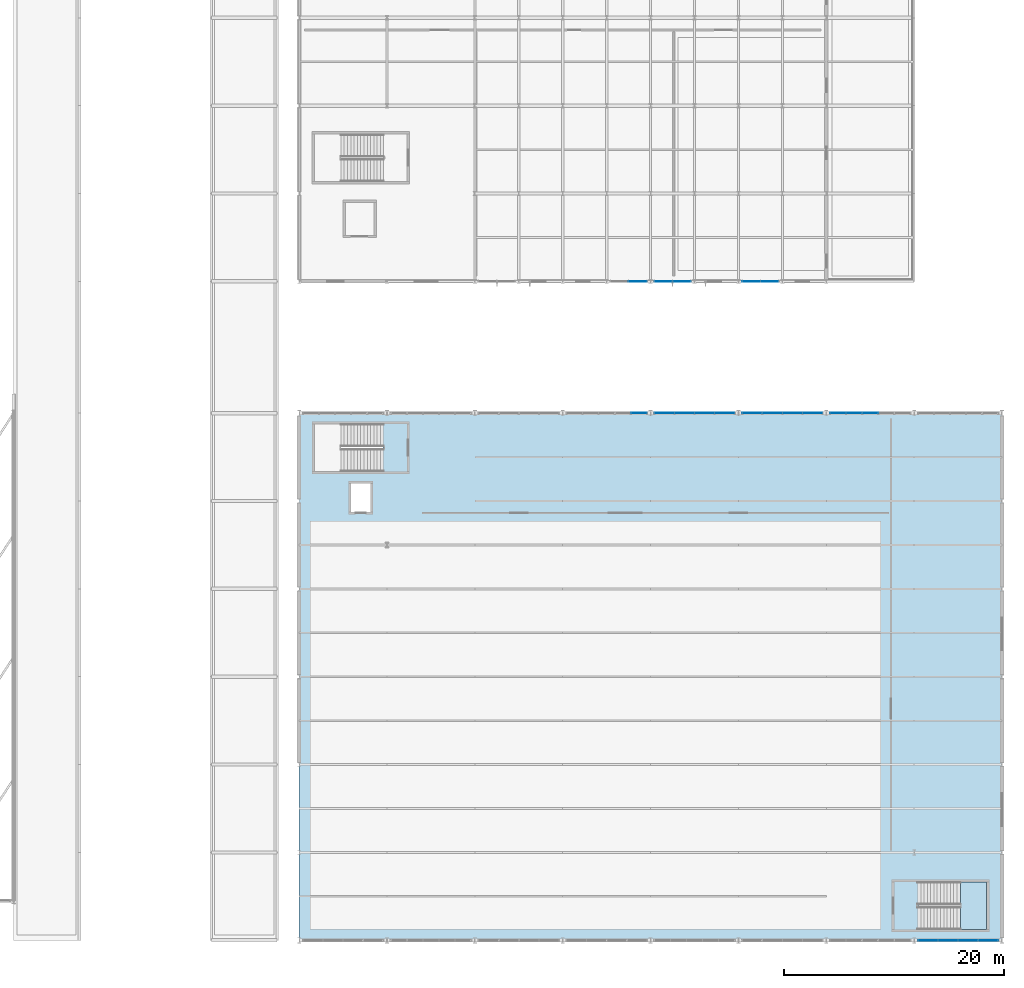
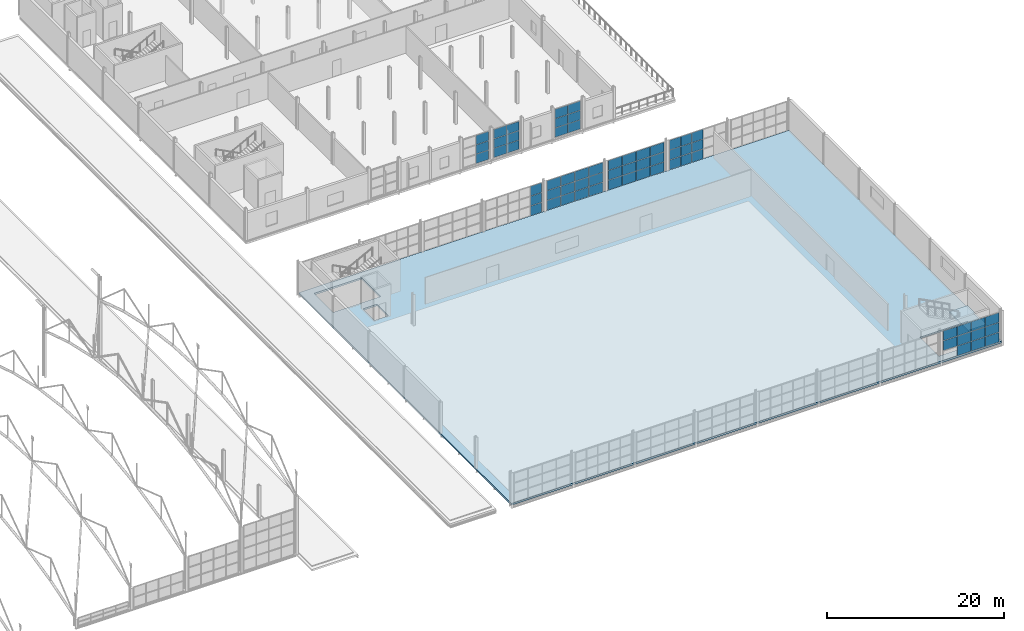
# One storey, part 129 of 153: 62 plates, 2 slabs, 9 elements without a shape of their own.
"""IFC4 building model written with IfcOpenShell, lengths in metres."""

from ifc_helpers import new_model, si_unit, derived_unit, direction, frame, origin, origin_2d, place, context, subcontext, project, spatial, polyline, rectangle, outline, extrude, material, layer, layer_set, type_object, element, aggregate, save


model = new_model("IFC4")

# Units and contexts
model_context = context("Model", 3, precision=1e-05, world=origin(), true_north=direction((0.0, 1.0)))
body_context = subcontext(model_context, "Body", "Model", "MODEL_VIEW")
ifc_project = project(units=[si_unit("LENGTHUNIT", "METRE"), si_unit("AREAUNIT", "SQUARE_METRE"), si_unit("VOLUMEUNIT", "CUBIC_METRE"), si_unit("PLANEANGLEUNIT", "RADIAN"), si_unit("MASSUNIT", "GRAM", prefix="KILO"), derived_unit("THERMALTRANSMITTANCEUNIT", [(si_unit("POWERUNIT", "WATT"), 1), (si_unit("LENGTHUNIT", "METRE"), -2), (si_unit("THERMODYNAMICTEMPERATUREUNIT", "KELVIN"), -1)])], contexts=[model_context])

# Site, building, storey
site_placement = place(None, origin())
site = spatial("IfcSite", under=ifc_project, at=site_placement, CompositionType="ELEMENT")
building_placement = place(site_placement, origin())
building = spatial("IfcBuilding", under=site, at=building_placement, Name="Keldorne Ridge Multi-Sports Centre", CompositionType="ELEMENT")
storey_placement = place(building_placement, frame((0.0, 0.0, 9.60009765625)))
storey = spatial("IfcBuildingStorey", under=building, at=storey_placement, Name="L02", CompositionType="ELEMENT", Elevation=9.60009765625)

# Curtain wall, plates
ifc_material_1 = material(Name="Anodized aluminium", Category="aluminium")
curtain_wall_type_1 = type_object("IfcCurtainWallType", Name="CW-CW-07", PredefinedType="NOTDEFINED", material=ifc_material_1)
curtain_wall_1_placement = place(storey_placement, origin())
curtain_wall_1 = element("IfcCurtainWall", 1, at=curtain_wall_1_placement, inside=storey, type_object=curtain_wall_type_1, Name="Upper Courts north glazing 111", PredefinedType="NOTDEFINED")
ifc_material_2 = material(Name="Double low-e insulated glazing", Category="glass")
ifc_layer_1 = layer(ifc_material_2, 0.035888671875)
ifc_layer_set_1 = layer_set([ifc_layer_1])
plate_type = type_object("IfcPlateType", Name="PLT-GL-01", PredefinedType="CURTAIN_PANEL", material=ifc_layer_set_1)
plate_1_placement = place(storey_placement, frame((134.927978515625, 54.0, 0.019775390625), z_axis=(0.0, 0.0, 1.0), x_axis=(-1.0, 0.0, 0.0)))
plate_1 = element("IfcPlate", 2, at=plate_1_placement, type_object=plate_type, Name="CW-111 glazed panel 1.1", PredefinedType="CURTAIN_PANEL", context=body_context, shape_type="SweptSolid", body=[
    extrude(rectangle(XDim=1.424072265625, YDim=0.035888671875, at=origin_2d()), origin(), (0.0, 0.0, 1.0), 1.32666015625),
])
plate_2_placement = place(storey_placement, frame((134.927978515625, 54.0, 1.386474609375), z_axis=(0.0, 0.0, 1.0), x_axis=(-1.0, 0.0, 0.0)))
plate_2 = element("IfcPlate", 3, at=plate_2_placement, type_object=plate_type, Name="CW-111 glazed panel 1.2", PredefinedType="CURTAIN_PANEL", context=body_context, shape_type="SweptSolid", body=[
    extrude(rectangle(XDim=1.424072265625, YDim=0.035888671875, at=origin_2d()), origin(), (0.0, 0.0, 1.0), 1.32666015625),
])
plate_3_placement = place(storey_placement, frame((134.927978515625, 54.0, 2.753173828125), z_axis=(0.0, 0.0, 1.0), x_axis=(-1.0, 0.0, 0.0)))
plate_3 = element("IfcPlate", 4, at=plate_3_placement, type_object=plate_type, Name="CW-111 glazed panel 1.3", PredefinedType="CURTAIN_PANEL", context=body_context, shape_type="SweptSolid", body=[
    extrude(rectangle(XDim=1.424072265625, YDim=0.035888671875, at=origin_2d()), origin(), (0.0, 0.0, 1.0), 1.32666015625),
])
aggregate(curtain_wall_1, [plate_1, plate_2, plate_3])

curtain_wall_type_2 = type_object("IfcCurtainWallType", Name="CW-CW-05", PredefinedType="NOTDEFINED", material=ifc_material_1)
curtain_wall_2_placement = place(storey_placement, origin())
curtain_wall_2 = element("IfcCurtainWall", 5, at=curtain_wall_2_placement, inside=storey, type_object=curtain_wall_type_2, Name="Upper Courts north glazing 117", PredefinedType="NOTDEFINED")
plate_4_placement = place(storey_placement, frame((142.7451171875, 54.0, 0.019775390625), z_axis=(0.0, 0.0, 1.0), x_axis=(-1.0, 0.0, 0.0)))
plate_4 = element("IfcPlate", 6, at=plate_4_placement, type_object=plate_type, Name="CW-117 glazed panel 1.1", PredefinedType="CURTAIN_PANEL", context=body_context, shape_type="SweptSolid", body=[
    extrude(rectangle(XDim=1.7900390625, YDim=0.035888671875, at=origin_2d()), origin(), (0.0, 0.0, 1.0), 1.32666015625),
])
plate_5_placement = place(storey_placement, frame((142.7451171875, 54.0, 1.386474609375), z_axis=(0.0, 0.0, 1.0), x_axis=(-1.0, 0.0, 0.0)))
plate_5 = element("IfcPlate", 7, at=plate_5_placement, type_object=plate_type, Name="CW-117 glazed panel 1.2", PredefinedType="CURTAIN_PANEL", context=body_context, shape_type="SweptSolid", body=[
    extrude(rectangle(XDim=1.7900390625, YDim=0.035888671875, at=origin_2d()), origin(), (0.0, 0.0, 1.0), 1.32666015625),
])
plate_6_placement = place(storey_placement, frame((142.7451171875, 54.0, 2.753173828125), z_axis=(0.0, 0.0, 1.0), x_axis=(-1.0, 0.0, 0.0)))
plate_6 = element("IfcPlate", 8, at=plate_6_placement, type_object=plate_type, Name="CW-117 glazed panel 1.3", PredefinedType="CURTAIN_PANEL", context=body_context, shape_type="SweptSolid", body=[
    extrude(rectangle(XDim=1.7900390625, YDim=0.035888671875, at=origin_2d()), origin(), (0.0, 0.0, 1.0), 1.32666015625),
])
plate_7_placement = place(storey_placement, frame((140.9150390625, 54.0, 0.019775390625), z_axis=(0.0, 0.0, 1.0), x_axis=(-1.0, 0.0, 0.0)))
plate_7 = element("IfcPlate", 9, at=plate_7_placement, type_object=plate_type, Name="CW-117 glazed panel 2.1", PredefinedType="CURTAIN_PANEL", context=body_context, shape_type="SweptSolid", body=[
    extrude(rectangle(XDim=1.7900390625, YDim=0.035888671875, at=origin_2d()), origin(), (0.0, 0.0, 1.0), 1.32666015625),
])
plate_8_placement = place(storey_placement, frame((140.9150390625, 54.0, 1.386474609375), z_axis=(0.0, 0.0, 1.0), x_axis=(-1.0, 0.0, 0.0)))
plate_8 = element("IfcPlate", 10, at=plate_8_placement, type_object=plate_type, Name="CW-117 glazed panel 2.2", PredefinedType="CURTAIN_PANEL", context=body_context, shape_type="SweptSolid", body=[
    extrude(rectangle(XDim=1.7900390625, YDim=0.035888671875, at=origin_2d()), origin(), (0.0, 0.0, 1.0), 1.32666015625),
])
plate_9_placement = place(storey_placement, frame((140.9150390625, 54.0, 2.753173828125), z_axis=(0.0, 0.0, 1.0), x_axis=(-1.0, 0.0, 0.0)))
plate_9 = element("IfcPlate", 11, at=plate_9_placement, type_object=plate_type, Name="CW-117 glazed panel 2.3", PredefinedType="CURTAIN_PANEL", context=body_context, shape_type="SweptSolid", body=[
    extrude(rectangle(XDim=1.7900390625, YDim=0.035888671875, at=origin_2d()), origin(), (0.0, 0.0, 1.0), 1.32666015625),
])
plate_10_placement = place(storey_placement, frame((139.0849609375, 54.0, 0.019775390625), z_axis=(0.0, 0.0, 1.0), x_axis=(-1.0, 0.0, 0.0)))
plate_10 = element("IfcPlate", 12, at=plate_10_placement, type_object=plate_type, Name="CW-117 glazed panel 3.1", PredefinedType="CURTAIN_PANEL", context=body_context, shape_type="SweptSolid", body=[
    extrude(rectangle(XDim=1.7900390625, YDim=0.035888671875, at=origin_2d()), origin(), (0.0, 0.0, 1.0), 1.32666015625),
])
plate_11_placement = place(storey_placement, frame((139.0849609375, 54.0, 1.386474609375), z_axis=(0.0, 0.0, 1.0), x_axis=(-1.0, 0.0, 0.0)))
plate_11 = element("IfcPlate", 13, at=plate_11_placement, type_object=plate_type, Name="CW-117 glazed panel 3.2", PredefinedType="CURTAIN_PANEL", context=body_context, shape_type="SweptSolid", body=[
    extrude(rectangle(XDim=1.7900390625, YDim=0.035888671875, at=origin_2d()), origin(), (0.0, 0.0, 1.0), 1.32666015625),
])
plate_12_placement = place(storey_placement, frame((139.0849609375, 54.0, 2.753173828125), z_axis=(0.0, 0.0, 1.0), x_axis=(-1.0, 0.0, 0.0)))
plate_12 = element("IfcPlate", 14, at=plate_12_placement, type_object=plate_type, Name="CW-117 glazed panel 3.3", PredefinedType="CURTAIN_PANEL", context=body_context, shape_type="SweptSolid", body=[
    extrude(rectangle(XDim=1.7900390625, YDim=0.035888671875, at=origin_2d()), origin(), (0.0, 0.0, 1.0), 1.32666015625),
])
plate_13_placement = place(storey_placement, frame((137.2548828125, 54.0, 0.019775390625), z_axis=(0.0, 0.0, 1.0), x_axis=(-1.0, 0.0, 0.0)))
plate_13 = element("IfcPlate", 15, at=plate_13_placement, type_object=plate_type, Name="CW-117 glazed panel 4.1", PredefinedType="CURTAIN_PANEL", context=body_context, shape_type="SweptSolid", body=[
    extrude(rectangle(XDim=1.7900390625, YDim=0.035888671875, at=origin_2d()), origin(), (0.0, 0.0, 1.0), 1.32666015625),
])
plate_14_placement = place(storey_placement, frame((137.2548828125, 54.0, 1.386474609375), z_axis=(0.0, 0.0, 1.0), x_axis=(-1.0, 0.0, 0.0)))
plate_14 = element("IfcPlate", 16, at=plate_14_placement, type_object=plate_type, Name="CW-117 glazed panel 4.2", PredefinedType="CURTAIN_PANEL", context=body_context, shape_type="SweptSolid", body=[
    extrude(rectangle(XDim=1.7900390625, YDim=0.035888671875, at=origin_2d()), origin(), (0.0, 0.0, 1.0), 1.32666015625),
])
plate_15_placement = place(storey_placement, frame((137.2548828125, 54.0, 2.753173828125), z_axis=(0.0, 0.0, 1.0), x_axis=(-1.0, 0.0, 0.0)))
plate_15 = element("IfcPlate", 17, at=plate_15_placement, type_object=plate_type, Name="CW-117 glazed panel 4.3", PredefinedType="CURTAIN_PANEL", context=body_context, shape_type="SweptSolid", body=[
    extrude(rectangle(XDim=1.7900390625, YDim=0.035888671875, at=origin_2d()), origin(), (0.0, 0.0, 1.0), 1.32666015625),
])
aggregate(curtain_wall_2, [plate_4, plate_5, plate_6, plate_7, plate_8, plate_9, plate_10, plate_11, plate_12, plate_13, plate_14, plate_15])

curtain_wall_type_3 = type_object("IfcCurtainWallType", Name="CW-CW-03", PredefinedType="NOTDEFINED", material=ifc_material_1)
curtain_wall_3_placement = place(storey_placement, origin())
curtain_wall_3 = element("IfcCurtainWall", 18, at=curtain_wall_3_placement, inside=storey, type_object=curtain_wall_type_3, Name="Upper Courts north glazing 123", PredefinedType="NOTDEFINED")
plate_16_placement = place(storey_placement, frame((150.7451171875, 54.0, 0.019775390625), z_axis=(0.0, 0.0, 1.0), x_axis=(-1.0, 0.0, 0.0)))
plate_16 = element("IfcPlate", 19, at=plate_16_placement, type_object=plate_type, Name="CW-123 glazed panel 1.1", PredefinedType="CURTAIN_PANEL", context=body_context, shape_type="SweptSolid", body=[
    extrude(rectangle(XDim=1.7900390625, YDim=0.035888671875, at=origin_2d()), origin(), (0.0, 0.0, 1.0), 1.32666015625),
])
plate_17_placement = place(storey_placement, frame((150.7451171875, 54.0, 1.386474609375), z_axis=(0.0, 0.0, 1.0), x_axis=(-1.0, 0.0, 0.0)))
plate_17 = element("IfcPlate", 20, at=plate_17_placement, type_object=plate_type, Name="CW-123 glazed panel 1.2", PredefinedType="CURTAIN_PANEL", context=body_context, shape_type="SweptSolid", body=[
    extrude(rectangle(XDim=1.7900390625, YDim=0.035888671875, at=origin_2d()), origin(), (0.0, 0.0, 1.0), 1.32666015625),
])
plate_18_placement = place(storey_placement, frame((150.7451171875, 54.0, 2.753173828125), z_axis=(0.0, 0.0, 1.0), x_axis=(-1.0, 0.0, 0.0)))
plate_18 = element("IfcPlate", 21, at=plate_18_placement, type_object=plate_type, Name="CW-123 glazed panel 1.3", PredefinedType="CURTAIN_PANEL", context=body_context, shape_type="SweptSolid", body=[
    extrude(rectangle(XDim=1.7900390625, YDim=0.035888671875, at=origin_2d()), origin(), (0.0, 0.0, 1.0), 1.32666015625),
])
plate_19_placement = place(storey_placement, frame((148.9150390625, 54.0, 0.019775390625), z_axis=(0.0, 0.0, 1.0), x_axis=(-1.0, 0.0, 0.0)))
plate_19 = element("IfcPlate", 22, at=plate_19_placement, type_object=plate_type, Name="CW-123 glazed panel 2.1", PredefinedType="CURTAIN_PANEL", context=body_context, shape_type="SweptSolid", body=[
    extrude(rectangle(XDim=1.7900390625, YDim=0.035888671875, at=origin_2d()), origin(), (0.0, 0.0, 1.0), 1.32666015625),
])
plate_20_placement = place(storey_placement, frame((148.9150390625, 54.0, 1.386474609375), z_axis=(0.0, 0.0, 1.0), x_axis=(-1.0, 0.0, 0.0)))
plate_20 = element("IfcPlate", 23, at=plate_20_placement, type_object=plate_type, Name="CW-123 glazed panel 2.2", PredefinedType="CURTAIN_PANEL", context=body_context, shape_type="SweptSolid", body=[
    extrude(rectangle(XDim=1.7900390625, YDim=0.035888671875, at=origin_2d()), origin(), (0.0, 0.0, 1.0), 1.32666015625),
])
plate_21_placement = place(storey_placement, frame((148.9150390625, 54.0, 2.753173828125), z_axis=(0.0, 0.0, 1.0), x_axis=(-1.0, 0.0, 0.0)))
plate_21 = element("IfcPlate", 24, at=plate_21_placement, type_object=plate_type, Name="CW-123 glazed panel 2.3", PredefinedType="CURTAIN_PANEL", context=body_context, shape_type="SweptSolid", body=[
    extrude(rectangle(XDim=1.7900390625, YDim=0.035888671875, at=origin_2d()), origin(), (0.0, 0.0, 1.0), 1.32666015625),
])
plate_22_placement = place(storey_placement, frame((147.0849609375, 54.0, 0.019775390625), z_axis=(0.0, 0.0, 1.0), x_axis=(-1.0, 0.0, 0.0)))
plate_22 = element("IfcPlate", 25, at=plate_22_placement, type_object=plate_type, Name="CW-123 glazed panel 3.1", PredefinedType="CURTAIN_PANEL", context=body_context, shape_type="SweptSolid", body=[
    extrude(rectangle(XDim=1.7900390625, YDim=0.035888671875, at=origin_2d()), origin(), (0.0, 0.0, 1.0), 1.32666015625),
])
plate_23_placement = place(storey_placement, frame((147.0849609375, 54.0, 1.386474609375), z_axis=(0.0, 0.0, 1.0), x_axis=(-1.0, 0.0, 0.0)))
plate_23 = element("IfcPlate", 26, at=plate_23_placement, type_object=plate_type, Name="CW-123 glazed panel 3.2", PredefinedType="CURTAIN_PANEL", context=body_context, shape_type="SweptSolid", body=[
    extrude(rectangle(XDim=1.7900390625, YDim=0.035888671875, at=origin_2d()), origin(), (0.0, 0.0, 1.0), 1.32666015625),
])
plate_24_placement = place(storey_placement, frame((147.0849609375, 54.0, 2.753173828125), z_axis=(0.0, 0.0, 1.0), x_axis=(-1.0, 0.0, 0.0)))
plate_24 = element("IfcPlate", 27, at=plate_24_placement, type_object=plate_type, Name="CW-123 glazed panel 3.3", PredefinedType="CURTAIN_PANEL", context=body_context, shape_type="SweptSolid", body=[
    extrude(rectangle(XDim=1.7900390625, YDim=0.035888671875, at=origin_2d()), origin(), (0.0, 0.0, 1.0), 1.32666015625),
])
plate_25_placement = place(storey_placement, frame((145.2548828125, 54.0, 0.019775390625), z_axis=(0.0, 0.0, 1.0), x_axis=(-1.0, 0.0, 0.0)))
plate_25 = element("IfcPlate", 28, at=plate_25_placement, type_object=plate_type, Name="CW-123 glazed panel 4.1", PredefinedType="CURTAIN_PANEL", context=body_context, shape_type="SweptSolid", body=[
    extrude(rectangle(XDim=1.7900390625, YDim=0.035888671875, at=origin_2d()), origin(), (0.0, 0.0, 1.0), 1.32666015625),
])
plate_26_placement = place(storey_placement, frame((145.2548828125, 54.0, 1.386474609375), z_axis=(0.0, 0.0, 1.0), x_axis=(-1.0, 0.0, 0.0)))
plate_26 = element("IfcPlate", 29, at=plate_26_placement, type_object=plate_type, Name="CW-123 glazed panel 4.2", PredefinedType="CURTAIN_PANEL", context=body_context, shape_type="SweptSolid", body=[
    extrude(rectangle(XDim=1.7900390625, YDim=0.035888671875, at=origin_2d()), origin(), (0.0, 0.0, 1.0), 1.32666015625),
])
plate_27_placement = place(storey_placement, frame((145.2548828125, 54.0, 2.753173828125), z_axis=(0.0, 0.0, 1.0), x_axis=(-1.0, 0.0, 0.0)))
plate_27 = element("IfcPlate", 30, at=plate_27_placement, type_object=plate_type, Name="CW-123 glazed panel 4.3", PredefinedType="CURTAIN_PANEL", context=body_context, shape_type="SweptSolid", body=[
    extrude(rectangle(XDim=1.7900390625, YDim=0.035888671875, at=origin_2d()), origin(), (0.0, 0.0, 1.0), 1.32666015625),
])
aggregate(curtain_wall_3, [plate_16, plate_17, plate_18, plate_19, plate_20, plate_21, plate_22, plate_23, plate_24, plate_25, plate_26, plate_27])

curtain_wall_type_4 = type_object("IfcCurtainWallType", Name="CW-CW-02", PredefinedType="NOTDEFINED", material=ifc_material_1)
curtain_wall_4_placement = place(storey_placement, origin())
curtain_wall_4 = element("IfcCurtainWall", 31, at=curtain_wall_4_placement, inside=storey, type_object=curtain_wall_type_4, Name="Upper Courts north glazing 130", PredefinedType="NOTDEFINED")
plate_28_placement = place(storey_placement, frame((156.0, 54.0, 0.019775390625), z_axis=(0.0, 0.0, 1.0), x_axis=(-1.0, 0.0, 0.0)))
plate_28 = element("IfcPlate", 32, at=plate_28_placement, type_object=plate_type, Name="CW-130 glazed panel 3.1", PredefinedType="CURTAIN_PANEL", context=body_context, shape_type="SweptSolid", body=[
    extrude(rectangle(XDim=1.424072265625, YDim=0.035888671875, at=origin_2d()), origin(), (0.0, 0.0, 1.0), 1.32666015625),
])
plate_29_placement = place(storey_placement, frame((156.0, 54.0, 1.386474609375), z_axis=(0.0, 0.0, 1.0), x_axis=(-1.0, 0.0, 0.0)))
plate_29 = element("IfcPlate", 33, at=plate_29_placement, type_object=plate_type, Name="CW-130 glazed panel 3.2", PredefinedType="CURTAIN_PANEL", context=body_context, shape_type="SweptSolid", body=[
    extrude(rectangle(XDim=1.424072265625, YDim=0.035888671875, at=origin_2d()), origin(), (0.0, 0.0, 1.0), 1.32666015625),
])
plate_30_placement = place(storey_placement, frame((156.0, 54.0, 2.753173828125), z_axis=(0.0, 0.0, 1.0), x_axis=(-1.0, 0.0, 0.0)))
plate_30 = element("IfcPlate", 34, at=plate_30_placement, type_object=plate_type, Name="CW-130 glazed panel 3.3", PredefinedType="CURTAIN_PANEL", context=body_context, shape_type="SweptSolid", body=[
    extrude(rectangle(XDim=1.424072265625, YDim=0.035888671875, at=origin_2d()), origin(), (0.0, 0.0, 1.0), 1.32666015625),
])
plate_31_placement = place(storey_placement, frame((154.535888671875, 54.0, 0.019775390625), z_axis=(0.0, 0.0, 1.0), x_axis=(-1.0, 0.0, 0.0)))
plate_31 = element("IfcPlate", 35, at=plate_31_placement, type_object=plate_type, Name="CW-130 glazed panel 4.1", PredefinedType="CURTAIN_PANEL", context=body_context, shape_type="SweptSolid", body=[
    extrude(rectangle(XDim=1.424072265625, YDim=0.035888671875, at=origin_2d()), origin(), (0.0, 0.0, 1.0), 1.32666015625),
])
plate_32_placement = place(storey_placement, frame((154.535888671875, 54.0, 1.386474609375), z_axis=(0.0, 0.0, 1.0), x_axis=(-1.0, 0.0, 0.0)))
plate_32 = element("IfcPlate", 36, at=plate_32_placement, type_object=plate_type, Name="CW-130 glazed panel 4.2", PredefinedType="CURTAIN_PANEL", context=body_context, shape_type="SweptSolid", body=[
    extrude(rectangle(XDim=1.424072265625, YDim=0.035888671875, at=origin_2d()), origin(), (0.0, 0.0, 1.0), 1.32666015625),
])
plate_33_placement = place(storey_placement, frame((154.535888671875, 54.0, 2.753173828125), z_axis=(0.0, 0.0, 1.0), x_axis=(-1.0, 0.0, 0.0)))
plate_33 = element("IfcPlate", 37, at=plate_33_placement, type_object=plate_type, Name="CW-130 glazed panel 4.3", PredefinedType="CURTAIN_PANEL", context=body_context, shape_type="SweptSolid", body=[
    extrude(rectangle(XDim=1.424072265625, YDim=0.035888671875, at=origin_2d()), origin(), (0.0, 0.0, 1.0), 1.32666015625),
])
plate_34_placement = place(storey_placement, frame((153.072021484375, 54.0, 0.019775390625), z_axis=(0.0, 0.0, 1.0), x_axis=(-1.0, 0.0, 0.0)))
plate_34 = element("IfcPlate", 38, at=plate_34_placement, type_object=plate_type, Name="CW-130 glazed panel 5.1", PredefinedType="CURTAIN_PANEL", context=body_context, shape_type="SweptSolid", body=[
    extrude(rectangle(XDim=1.424072265625, YDim=0.035888671875, at=origin_2d()), origin(), (0.0, 0.0, 1.0), 1.32666015625),
])
plate_35_placement = place(storey_placement, frame((153.072021484375, 54.0, 1.386474609375), z_axis=(0.0, 0.0, 1.0), x_axis=(-1.0, 0.0, 0.0)))
plate_35 = element("IfcPlate", 39, at=plate_35_placement, type_object=plate_type, Name="CW-130 glazed panel 5.2", PredefinedType="CURTAIN_PANEL", context=body_context, shape_type="SweptSolid", body=[
    extrude(rectangle(XDim=1.424072265625, YDim=0.035888671875, at=origin_2d()), origin(), (0.0, 0.0, 1.0), 1.32666015625),
])
plate_36_placement = place(storey_placement, frame((153.072021484375, 54.0, 2.753173828125), z_axis=(0.0, 0.0, 1.0), x_axis=(-1.0, 0.0, 0.0)))
plate_36 = element("IfcPlate", 40, at=plate_36_placement, type_object=plate_type, Name="CW-130 glazed panel 5.3", PredefinedType="CURTAIN_PANEL", context=body_context, shape_type="SweptSolid", body=[
    extrude(rectangle(XDim=1.424072265625, YDim=0.035888671875, at=origin_2d()), origin(), (0.0, 0.0, 1.0), 1.32666015625),
])
aggregate(curtain_wall_4, [plate_28, plate_29, plate_30, plate_31, plate_32, plate_33, plate_34, plate_35, plate_36])

curtain_wall_5_placement = place(storey_placement, origin())
curtain_wall_5 = element("IfcCurtainWall", 41, at=curtain_wall_5_placement, inside=storey, type_object=curtain_wall_type_2, Name="Upper Courts south curtain wall 133", PredefinedType="NOTDEFINED")
plate_37_placement = place(storey_placement, frame((161.2548828125, 6.0, 1.386474609375), z_axis=(0.0, 0.0, 1.0), x_axis=(1.0, 0.0, 0.0)))
plate_37 = element("IfcPlate", 42, at=plate_37_placement, type_object=plate_type, Name="CW-133 glazed panel 1.2", PredefinedType="CURTAIN_PANEL", context=body_context, shape_type="SweptSolid", body=[
    extrude(rectangle(XDim=1.7900390625, YDim=0.035888671875, at=origin_2d()), origin(), (0.0, 0.0, 1.0), 1.32666015625),
])
plate_38_placement = place(storey_placement, frame((161.2548828125, 6.0, 2.753173828125), z_axis=(0.0, 0.0, 1.0), x_axis=(1.0, 0.0, 0.0)))
plate_38 = element("IfcPlate", 43, at=plate_38_placement, type_object=plate_type, Name="CW-133 glazed panel 1.3", PredefinedType="CURTAIN_PANEL", context=body_context, shape_type="SweptSolid", body=[
    extrude(rectangle(XDim=1.7900390625, YDim=0.035888671875, at=origin_2d()), origin(), (0.0, 0.0, 1.0), 1.32666015625),
])
plate_39_placement = place(storey_placement, frame((163.0849609375, 6.0, 0.019775390625), z_axis=(0.0, 0.0, 1.0), x_axis=(1.0, 0.0, 0.0)))
plate_39 = element("IfcPlate", 44, at=plate_39_placement, type_object=plate_type, Name="CW-133 glazed panel 2.1", PredefinedType="CURTAIN_PANEL", context=body_context, shape_type="SweptSolid", body=[
    extrude(rectangle(XDim=1.7900390625, YDim=0.035888671875, at=origin_2d()), origin(), (0.0, 0.0, 1.0), 1.32666015625),
])
plate_40_placement = place(storey_placement, frame((163.0849609375, 6.0, 1.386474609375), z_axis=(0.0, 0.0, 1.0), x_axis=(1.0, 0.0, 0.0)))
plate_40 = element("IfcPlate", 45, at=plate_40_placement, type_object=plate_type, Name="CW-133 glazed panel 2.2", PredefinedType="CURTAIN_PANEL", context=body_context, shape_type="SweptSolid", body=[
    extrude(rectangle(XDim=1.7900390625, YDim=0.035888671875, at=origin_2d()), origin(), (0.0, 0.0, 1.0), 1.32666015625),
])
plate_41_placement = place(storey_placement, frame((163.0849609375, 6.0, 2.753173828125), z_axis=(0.0, 0.0, 1.0), x_axis=(1.0, 0.0, 0.0)))
plate_41 = element("IfcPlate", 46, at=plate_41_placement, type_object=plate_type, Name="CW-133 glazed panel 2.3", PredefinedType="CURTAIN_PANEL", context=body_context, shape_type="SweptSolid", body=[
    extrude(rectangle(XDim=1.7900390625, YDim=0.035888671875, at=origin_2d()), origin(), (0.0, 0.0, 1.0), 1.32666015625),
])
plate_42_placement = place(storey_placement, frame((164.9150390625, 6.0, 0.019775390625), z_axis=(0.0, 0.0, 1.0), x_axis=(1.0, 0.0, 0.0)))
plate_42 = element("IfcPlate", 47, at=plate_42_placement, type_object=plate_type, Name="CW-133 glazed panel 3.1", PredefinedType="CURTAIN_PANEL", context=body_context, shape_type="SweptSolid", body=[
    extrude(rectangle(XDim=1.7900390625, YDim=0.035888671875, at=origin_2d()), origin(), (0.0, 0.0, 1.0), 1.32666015625),
])
plate_43_placement = place(storey_placement, frame((164.9150390625, 6.0, 1.386474609375), z_axis=(0.0, 0.0, 1.0), x_axis=(1.0, 0.0, 0.0)))
plate_43 = element("IfcPlate", 48, at=plate_43_placement, type_object=plate_type, Name="CW-133 glazed panel 3.2", PredefinedType="CURTAIN_PANEL", context=body_context, shape_type="SweptSolid", body=[
    extrude(rectangle(XDim=1.7900390625, YDim=0.035888671875, at=origin_2d()), origin(), (0.0, 0.0, 1.0), 1.32666015625),
])
plate_44_placement = place(storey_placement, frame((164.9150390625, 6.0, 2.753173828125), z_axis=(0.0, 0.0, 1.0), x_axis=(1.0, 0.0, 0.0)))
plate_44 = element("IfcPlate", 49, at=plate_44_placement, type_object=plate_type, Name="CW-133 glazed panel 3.3", PredefinedType="CURTAIN_PANEL", context=body_context, shape_type="SweptSolid", body=[
    extrude(rectangle(XDim=1.7900390625, YDim=0.035888671875, at=origin_2d()), origin(), (0.0, 0.0, 1.0), 1.32666015625),
])
plate_45_placement = place(storey_placement, frame((166.7451171875, 6.0, 0.019775390625), z_axis=(0.0, 0.0, 1.0), x_axis=(1.0, 0.0, 0.0)))
plate_45 = element("IfcPlate", 50, at=plate_45_placement, type_object=plate_type, Name="CW-133 glazed panel 4.1", PredefinedType="CURTAIN_PANEL", context=body_context, shape_type="SweptSolid", body=[
    extrude(rectangle(XDim=1.7900390625, YDim=0.035888671875, at=origin_2d()), origin(), (0.0, 0.0, 1.0), 1.32666015625),
])
plate_46_placement = place(storey_placement, frame((166.7451171875, 6.0, 1.386474609375), z_axis=(0.0, 0.0, 1.0), x_axis=(1.0, 0.0, 0.0)))
plate_46 = element("IfcPlate", 51, at=plate_46_placement, type_object=plate_type, Name="CW-133 glazed panel 4.2", PredefinedType="CURTAIN_PANEL", context=body_context, shape_type="SweptSolid", body=[
    extrude(rectangle(XDim=1.7900390625, YDim=0.035888671875, at=origin_2d()), origin(), (0.0, 0.0, 1.0), 1.32666015625),
])
plate_47_placement = place(storey_placement, frame((166.7451171875, 6.0, 2.753173828125), z_axis=(0.0, 0.0, 1.0), x_axis=(1.0, 0.0, 0.0)))
plate_47 = element("IfcPlate", 52, at=plate_47_placement, type_object=plate_type, Name="CW-133 glazed panel 4.3", PredefinedType="CURTAIN_PANEL", context=body_context, shape_type="SweptSolid", body=[
    extrude(rectangle(XDim=1.7900390625, YDim=0.035888671875, at=origin_2d()), origin(), (0.0, 0.0, 1.0), 1.32666015625),
])
aggregate(curtain_wall_5, [plate_37, plate_38, plate_39, plate_40, plate_41, plate_42, plate_43, plate_44, plate_45, plate_46, plate_47])

curtain_wall_type_5 = type_object("IfcCurtainWallType", Name="CW-CW-04", PredefinedType="NOTDEFINED", material=ifc_material_1)
curtain_wall_6_placement = place(storey_placement, origin())
curtain_wall_6 = element("IfcCurtainWall", 53, at=curtain_wall_6_placement, inside=storey, type_object=curtain_wall_type_5, Name="East Wing L02 south curtain wall 148", PredefinedType="NOTDEFINED")
plate_48_placement = place(storey_placement, frame((134.830078125, 66.0, 0.02001953125), z_axis=(0.0, 0.0, 1.0), x_axis=(1.0, 0.0, 0.0)))
plate_48 = element("IfcPlate", 54, at=plate_48_placement, type_object=plate_type, Name="CW-148 glazed panel 2.1", PredefinedType="CURTAIN_PANEL", context=body_context, shape_type="SweptSolid", body=[
    extrude(rectangle(XDim=1.6201171875, YDim=0.035888671875, at=origin_2d()), origin(), (0.0, 0.0, 1.0), 1.260009765625),
])
plate_49_placement = place(storey_placement, frame((134.830078125, 66.0, 1.31982421875), z_axis=(0.0, 0.0, 1.0), x_axis=(1.0, 0.0, 0.0)))
plate_49 = element("IfcPlate", 55, at=plate_49_placement, type_object=plate_type, Name="CW-148 glazed panel 2.2", PredefinedType="CURTAIN_PANEL", context=body_context, shape_type="SweptSolid", body=[
    extrude(rectangle(XDim=1.6201171875, YDim=0.035888671875, at=origin_2d()), origin(), (0.0, 0.0, 1.0), 1.260009765625),
])
plate_50_placement = place(storey_placement, frame((134.830078125, 66.0, 2.6201171875), z_axis=(0.0, 0.0, 1.0), x_axis=(1.0, 0.0, 0.0)))
plate_50 = element("IfcPlate", 56, at=plate_50_placement, type_object=plate_type, Name="CW-148 glazed panel 2.3", PredefinedType="CURTAIN_PANEL", context=body_context, shape_type="SweptSolid", body=[
    extrude(rectangle(XDim=1.6201171875, YDim=0.035888671875, at=origin_2d()), origin(), (0.0, 0.0, 1.0), 1.260009765625),
])
aggregate(curtain_wall_6, [plate_48, plate_49, plate_50])

curtain_wall_7_placement = place(storey_placement, origin())
curtain_wall_7 = element("IfcCurtainWall", 57, at=curtain_wall_7_placement, inside=storey, type_object=curtain_wall_type_2, Name="East Wing L02 south curtain wall 149", PredefinedType="NOTDEFINED")
plate_51_placement = place(storey_placement, frame((137.169921875, 66.0, 0.02001953125), z_axis=(0.0, 0.0, 1.0), x_axis=(1.0, 0.0, 0.0)))
plate_51 = element("IfcPlate", 58, at=plate_51_placement, type_object=plate_type, Name="CW-149 glazed panel 1.1", PredefinedType="CURTAIN_PANEL", context=body_context, shape_type="SweptSolid", body=[
    extrude(rectangle(XDim=1.6201171875, YDim=0.035888671875, at=origin_2d()), origin(), (0.0, 0.0, 1.0), 1.260009765625),
])
plate_52_placement = place(storey_placement, frame((137.169921875, 66.0, 1.31982421875), z_axis=(0.0, 0.0, 1.0), x_axis=(1.0, 0.0, 0.0)))
plate_52 = element("IfcPlate", 59, at=plate_52_placement, type_object=plate_type, Name="CW-149 glazed panel 1.2", PredefinedType="CURTAIN_PANEL", context=body_context, shape_type="SweptSolid", body=[
    extrude(rectangle(XDim=1.6201171875, YDim=0.035888671875, at=origin_2d()), origin(), (0.0, 0.0, 1.0), 1.260009765625),
])
plate_53_placement = place(storey_placement, frame((137.169921875, 66.0, 2.6201171875), z_axis=(0.0, 0.0, 1.0), x_axis=(1.0, 0.0, 0.0)))
plate_53 = element("IfcPlate", 60, at=plate_53_placement, type_object=plate_type, Name="CW-149 glazed panel 1.3", PredefinedType="CURTAIN_PANEL", context=body_context, shape_type="SweptSolid", body=[
    extrude(rectangle(XDim=1.6201171875, YDim=0.035888671875, at=origin_2d()), origin(), (0.0, 0.0, 1.0), 1.260009765625),
])
plate_54_placement = place(storey_placement, frame((138.830078125, 66.0, 0.02001953125), z_axis=(0.0, 0.0, 1.0), x_axis=(1.0, 0.0, 0.0)))
plate_54 = element("IfcPlate", 61, at=plate_54_placement, type_object=plate_type, Name="CW-149 glazed panel 2.1", PredefinedType="CURTAIN_PANEL", context=body_context, shape_type="SweptSolid", body=[
    extrude(rectangle(XDim=1.6201171875, YDim=0.035888671875, at=origin_2d()), origin(), (0.0, 0.0, 1.0), 1.260009765625),
])
plate_55_placement = place(storey_placement, frame((138.830078125, 66.0, 1.31982421875), z_axis=(0.0, 0.0, 1.0), x_axis=(1.0, 0.0, 0.0)))
plate_55 = element("IfcPlate", 62, at=plate_55_placement, type_object=plate_type, Name="CW-149 glazed panel 2.2", PredefinedType="CURTAIN_PANEL", context=body_context, shape_type="SweptSolid", body=[
    extrude(rectangle(XDim=1.6201171875, YDim=0.035888671875, at=origin_2d()), origin(), (0.0, 0.0, 1.0), 1.260009765625),
])
plate_56_placement = place(storey_placement, frame((138.830078125, 66.0, 2.6201171875), z_axis=(0.0, 0.0, 1.0), x_axis=(1.0, 0.0, 0.0)))
plate_56 = element("IfcPlate", 63, at=plate_56_placement, type_object=plate_type, Name="CW-149 glazed panel 2.3", PredefinedType="CURTAIN_PANEL", context=body_context, shape_type="SweptSolid", body=[
    extrude(rectangle(XDim=1.6201171875, YDim=0.035888671875, at=origin_2d()), origin(), (0.0, 0.0, 1.0), 1.260009765625),
])
aggregate(curtain_wall_7, [plate_51, plate_52, plate_53, plate_54, plate_55, plate_56])

curtain_wall_type_6 = type_object("IfcCurtainWallType", Name="CW-CW-06", PredefinedType="NOTDEFINED", material=ifc_material_1)
curtain_wall_8_placement = place(storey_placement, origin())
curtain_wall_8 = element("IfcCurtainWall", 64, at=curtain_wall_8_placement, inside=storey, type_object=curtain_wall_type_6, Name="East Wing L02 south curtain wall 150", PredefinedType="NOTDEFINED")
plate_57_placement = place(storey_placement, frame((145.169921875, 66.0, 0.02001953125), z_axis=(0.0, 0.0, 1.0), x_axis=(1.0, 0.0, 0.0)))
plate_57 = element("IfcPlate", 65, at=plate_57_placement, type_object=plate_type, Name="CW-150 glazed panel 1.1", PredefinedType="CURTAIN_PANEL", context=body_context, shape_type="SweptSolid", body=[
    extrude(rectangle(XDim=1.6201171875, YDim=0.035888671875, at=origin_2d()), origin(), (0.0, 0.0, 1.0), 1.260009765625),
])
plate_58_placement = place(storey_placement, frame((145.169921875, 66.0, 1.31982421875), z_axis=(0.0, 0.0, 1.0), x_axis=(1.0, 0.0, 0.0)))
plate_58 = element("IfcPlate", 66, at=plate_58_placement, type_object=plate_type, Name="CW-150 glazed panel 1.2", PredefinedType="CURTAIN_PANEL", context=body_context, shape_type="SweptSolid", body=[
    extrude(rectangle(XDim=1.6201171875, YDim=0.035888671875, at=origin_2d()), origin(), (0.0, 0.0, 1.0), 1.260009765625),
])
plate_59_placement = place(storey_placement, frame((145.169921875, 66.0, 2.6201171875), z_axis=(0.0, 0.0, 1.0), x_axis=(1.0, 0.0, 0.0)))
plate_59 = element("IfcPlate", 67, at=plate_59_placement, type_object=plate_type, Name="CW-150 glazed panel 1.3", PredefinedType="CURTAIN_PANEL", context=body_context, shape_type="SweptSolid", body=[
    extrude(rectangle(XDim=1.6201171875, YDim=0.035888671875, at=origin_2d()), origin(), (0.0, 0.0, 1.0), 1.260009765625),
])
plate_60_placement = place(storey_placement, frame((146.830078125, 66.0, 0.02001953125), z_axis=(0.0, 0.0, 1.0), x_axis=(1.0, 0.0, 0.0)))
plate_60 = element("IfcPlate", 68, at=plate_60_placement, type_object=plate_type, Name="CW-150 glazed panel 2.1", PredefinedType="CURTAIN_PANEL", context=body_context, shape_type="SweptSolid", body=[
    extrude(rectangle(XDim=1.6201171875, YDim=0.035888671875, at=origin_2d()), origin(), (0.0, 0.0, 1.0), 1.260009765625),
])
plate_61_placement = place(storey_placement, frame((146.830078125, 66.0, 1.31982421875), z_axis=(0.0, 0.0, 1.0), x_axis=(1.0, 0.0, 0.0)))
plate_61 = element("IfcPlate", 69, at=plate_61_placement, type_object=plate_type, Name="CW-150 glazed panel 2.2", PredefinedType="CURTAIN_PANEL", context=body_context, shape_type="SweptSolid", body=[
    extrude(rectangle(XDim=1.6201171875, YDim=0.035888671875, at=origin_2d()), origin(), (0.0, 0.0, 1.0), 1.260009765625),
])
plate_62_placement = place(storey_placement, frame((146.830078125, 66.0, 2.6201171875), z_axis=(0.0, 0.0, 1.0), x_axis=(1.0, 0.0, 0.0)))
plate_62 = element("IfcPlate", 70, at=plate_62_placement, type_object=plate_type, Name="CW-150 glazed panel 2.3", PredefinedType="CURTAIN_PANEL", context=body_context, shape_type="SweptSolid", body=[
    extrude(rectangle(XDim=1.6201171875, YDim=0.035888671875, at=origin_2d()), origin(), (0.0, 0.0, 1.0), 1.260009765625),
])
aggregate(curtain_wall_8, [plate_57, plate_58, plate_59, plate_60, plate_61, plate_62])

# Stair, slab
ifc_material_3 = material(Name="Concrete C35/45", Category="concrete")
stair_type = type_object("IfcStairType", Name="STR-S01", PredefinedType="HALF_TURN_STAIR", material=ifc_material_3)
stair_placement = place(storey_placement, origin())
stair = element("IfcStair", 71, at=stair_placement, inside=storey, type_object=stair_type, Name="L02 South-East Courts Escape Core C5", PredefinedType="HALF_TURN_STAIR")
ifc_layer_2 = layer(ifc_material_3, 0.199951171875)
ifc_layer_set_2 = layer_set([ifc_layer_2], Name="Concrete C35/45")
slab_type_1 = type_object("IfcSlabType", Name="SLB-LDG-01", PredefinedType="LANDING", material=ifc_layer_set_2)
slab_1_placement = place(storey_placement, frame((0.0, 0.0, 2.0)))
slab_1 = element("IfcSlab", 72, at=slab_1_placement, type_object=slab_type_1, Name="ST-05 landing 1", PredefinedType="LANDING", context=body_context, shape_type="SweptSolid", body=[
    extrude(outline(polyline([(164.199951171875, 7.0), (166.60009765625, 7.0), (166.60009765625, 11.300048828125), (164.199951171875, 11.300048828125), (164.199951171875, 7.0)])), origin(), (0.0, 0.0, 1.0), 0.199951171875),
])
aggregate(stair, [slab_1])

# Slab
ifc_layer_3 = layer(ifc_material_3, 0.239990234375)
ifc_layer_set_3 = layer_set([ifc_layer_3], Name="Concrete C35/45")
slab_type_2 = type_object("IfcSlabType", Name="SLB-SL-F03", PredefinedType="FLOOR", material=ifc_layer_set_3)
slab_2_placement = place(storey_placement, frame((0.0, 0.0, -0.239990234375)))
element("IfcSlab", 73, at=slab_2_placement, inside=storey, type_object=slab_type_2, Name="Second floor Upper Four-Court Hall slab", PredefinedType="FLOOR", context=body_context, shape_type="SweptSolid", body=[
    extrude(outline(polyline([(104.0, 6.0), (168.0, 6.0), (168.0, 54.0), (104.0, 54.0), (104.0, 6.0)]), holes=[polyline([(105.39990234375, 48.699951171875), (105.39990234375, 53.0), (111.6201171875, 53.0), (111.6201171875, 48.699951171875), (105.39990234375, 48.699951171875)]), polyline([(160.3798828125, 7.0), (160.3798828125, 11.300048828125), (166.60009765625, 11.300048828125), (166.60009765625, 7.0), (160.3798828125, 7.0)]), polyline([(108.699951171875, 45.0), (108.699951171875, 47.60009765625), (110.5, 47.60009765625), (110.5, 45.0), (108.699951171875, 45.0)])]), origin(), (0.0, 0.0, 1.0), 0.239990234375),
])

save(model, "model.ifc")
